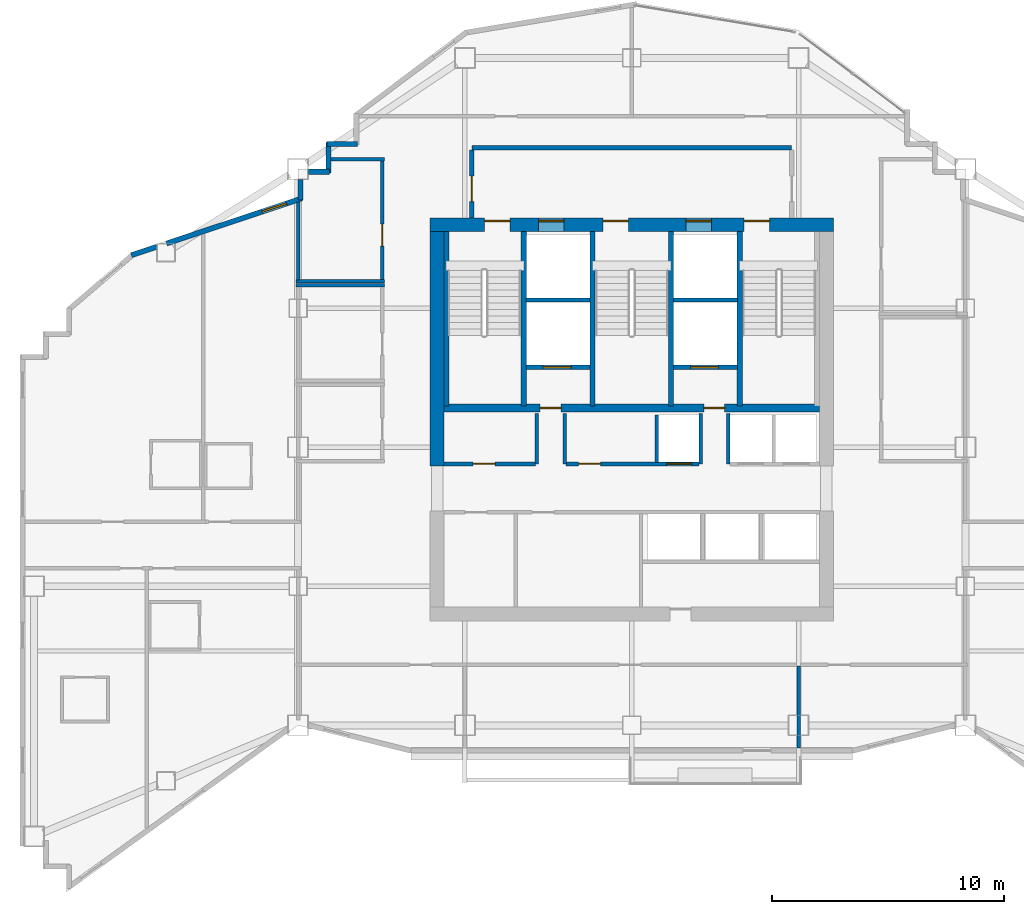
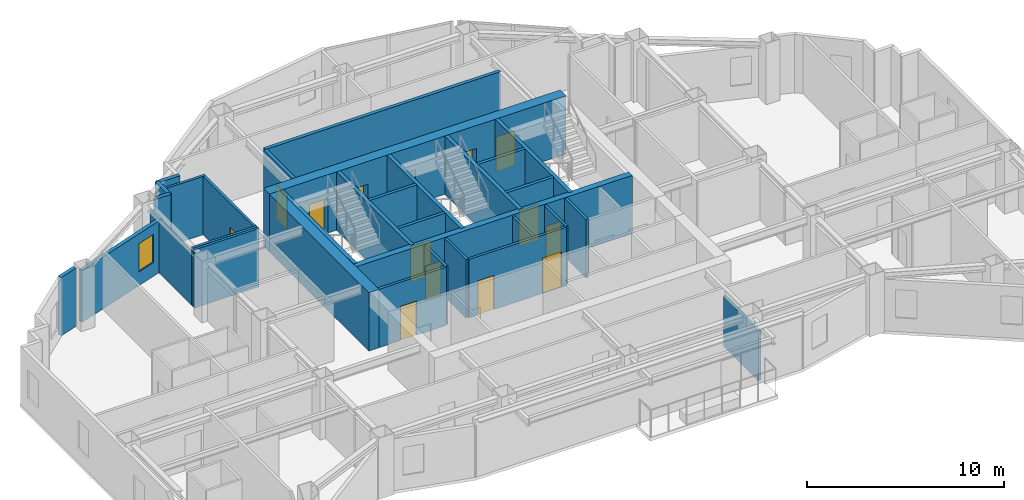
# One storey, part 6 of 10: 33 walls, 14 doors, 1 window, 15 openings.
"""IFC4 building model written with IfcOpenShell, lengths in metres."""

from ifc_helpers import new_model, si_unit, direction, frame, frame_2d, origin, place, context, subcontext, project, spatial, rectangle, extrude, material, layer, layer_set, type_object, element, fill, save


model = new_model("IFC4")

# Units and contexts
model_context = context("Model", 3, precision=1e-05, world=origin(), true_north=direction((0.0, 1.0)))
body_context = subcontext(model_context, "Body", "Model", "MODEL_VIEW")
ifc_project = project(units=[si_unit("LENGTHUNIT", "METRE"), si_unit("AREAUNIT", "SQUARE_METRE"), si_unit("VOLUMEUNIT", "CUBIC_METRE"), si_unit("PLANEANGLEUNIT", "RADIAN"), si_unit("MASSUNIT", "GRAM", prefix="KILO")], contexts=[model_context])

# Site, building, storey
site_placement = place(None, origin())
site = spatial("IfcSite", under=ifc_project, at=site_placement, CompositionType="ELEMENT")
building_placement = place(site_placement, origin())
building = spatial("IfcBuilding", under=site, at=building_placement, Name="Haolan Belvedere Tower", CompositionType="ELEMENT")
storey_placement = place(building_placement, frame((0.0, 0.0, 176.60009765625)))
storey = spatial("IfcBuildingStorey", under=building, at=storey_placement, Name="L44", CompositionType="ELEMENT", Elevation=176.60009765625)

# Wall, openings, doors
ifc_material_1 = material(Name="Concrete C60/75", Category="concrete")
ifc_layer_1 = layer(ifc_material_1, 0.60009765625, Name="Concrete C60/75")
ifc_layer_set_1 = layer_set([ifc_layer_1], Name="Concrete C60/75")
wall_type_1 = type_object("IfcWallType", Name="WL-CORE-600", PredefinedType="SHEAR", material=ifc_layer_set_1)
wall_1_placement = place(storey_placement, frame((29.699951171875, 43.199951171875, 0.0), z_axis=(0.0, 0.0, 1.0), x_axis=(1.0, 0.0, 0.0)))
wall_1 = element("IfcWall", 1, at=wall_1_placement, inside=storey, type_object=wall_type_1, Name="L44 central core north shear wall", PredefinedType="SHEAR", context=body_context, shape_type="SweptSolid", body=[
    extrude(rectangle(XDim=17.400146484375, YDim=0.60009765625, at=frame_2d((8.7001953125, 0.0))), origin(), (0.0, 0.0, 1.0), 3.619873046875),
])
opening_1_placement = place(wall_1_placement, frame((2.35009765625, 0.0, 0.0)))
opening_1 = element("IfcOpeningElement", 2, at=opening_1_placement, cuts=wall_1, Name="Opening FD-03", PredefinedType="OPENING", context=body_context, shape_type="SweptSolid", body=[
    extrude(rectangle(XDim=1.10009765625, YDim=2.14990234375, at=frame_2d((0.550048828125, 1.074951171875))), frame((0.0, 0.31005859375, 0.0), z_axis=(0.0, -1.0, 0.0), x_axis=(1.0, 0.0, 0.0)), (0.0, 0.0, 1.0), 0.6201171875),
])
opening_2_placement = place(wall_1_placement, frame((7.4599609375, 0.0, 0.0)))
opening_2 = element("IfcOpeningElement", 3, at=opening_2_placement, cuts=wall_1, Name="Opening FD-03", PredefinedType="OPENING", context=body_context, shape_type="SweptSolid", body=[
    extrude(rectangle(XDim=1.10009765625, YDim=2.14990234375, at=frame_2d((0.550048828125, 1.074951171875))), frame((0.0, 0.31005859375, 0.0), z_axis=(0.0, -1.0, 0.0), x_axis=(1.0, 0.0, 0.0)), (0.0, 0.0, 1.0), 0.6201171875),
])
opening_3_placement = place(wall_1_placement, frame((13.550048828125, 0.0, 0.0)))
opening_3 = element("IfcOpeningElement", 4, at=opening_3_placement, cuts=wall_1, Name="Opening FD-03", PredefinedType="OPENING", context=body_context, shape_type="SweptSolid", body=[
    extrude(rectangle(XDim=1.10009765625, YDim=2.14990234375, at=frame_2d((0.550048828125, 1.074951171875))), frame((0.0, 0.31005859375, 0.0), z_axis=(0.0, -1.0, 0.0), x_axis=(1.0, 0.0, 0.0)), (0.0, 0.0, 1.0), 0.6201171875),
])
opening_4_placement = place(wall_1_placement, frame((4.679931640625, 0.0, 0.0)))
opening_4 = element("IfcOpeningElement", 5, at=opening_4_placement, cuts=wall_1, Name="Opening LD-01", PredefinedType="OPENING", context=body_context, shape_type="SweptSolid", body=[
    extrude(rectangle(XDim=1.10009765625, YDim=2.199951171875, at=frame_2d((0.550048828125, 1.10009765625))), frame((0.0, 0.31005859375, 0.0), z_axis=(0.0, -1.0, 0.0), x_axis=(1.0, 0.0, 0.0)), (0.0, 0.0, 1.0), 0.6201171875),
])
opening_5_placement = place(wall_1_placement, frame((11.0400390625, 0.0, 0.0)))
opening_5 = element("IfcOpeningElement", 6, at=opening_5_placement, cuts=wall_1, Name="Opening LD-01", PredefinedType="OPENING", context=body_context, shape_type="SweptSolid", body=[
    extrude(rectangle(XDim=1.10009765625, YDim=2.199951171875, at=frame_2d((0.550048828125, 1.10009765625))), frame((0.0, 0.31005859375, 0.0), z_axis=(0.0, -1.0, 0.0), x_axis=(1.0, 0.0, 0.0)), (0.0, 0.0, 1.0), 0.6201171875),
])
ifc_material_2 = material(Name="Galvanised fire-rated steel", Category="steel")
door_type_1 = type_object("IfcDoorType", Name="DR-FD90-1100", OperationType="NOTDEFINED", PredefinedType="DOOR", material=ifc_material_2)
door_1_placement = place(opening_1_placement, origin())
door_1 = element("IfcDoor", 7, at=door_1_placement, inside=storey, type_object=door_type_1, Name="L44 door CD-L44-ST1", OperationType="SINGLE_SWING_LEFT", OverallHeight=2.14990234375, OverallWidth=1.10009765625, PredefinedType="DOOR", context=body_context, shape_type="SweptSolid", body=[
    extrude(rectangle(XDim=1.10009765625, YDim=2.14990234375, at=frame_2d((0.550048828125, 1.074951171875))), frame((0.0, 0.18505859375, 0.0), z_axis=(0.0, -1.0, 0.0), x_axis=(1.0, 0.0, 0.0)), (0.0, 0.0, 1.0), 0.050048828125),
])
fill(opening_1, door_1)
door_2_placement = place(opening_2_placement, origin())
door_2 = element("IfcDoor", 8, at=door_2_placement, inside=storey, type_object=door_type_1, Name="L44 door CD-L44-ST3", OperationType="SINGLE_SWING_LEFT", OverallHeight=2.14990234375, OverallWidth=1.10009765625, PredefinedType="DOOR", context=body_context, shape_type="SweptSolid", body=[
    extrude(rectangle(XDim=1.10009765625, YDim=2.14990234375, at=frame_2d((0.550048828125, 1.074951171875))), frame((0.0, 0.18505859375, 0.0), z_axis=(0.0, -1.0, 0.0), x_axis=(1.0, 0.0, 0.0)), (0.0, 0.0, 1.0), 0.050048828125),
])
fill(opening_2, door_2)
door_3_placement = place(opening_3_placement, origin())
door_3 = element("IfcDoor", 9, at=door_3_placement, inside=storey, type_object=door_type_1, Name="L44 door CD-L44-ST2", OperationType="SINGLE_SWING_RIGHT", OverallHeight=2.14990234375, OverallWidth=1.10009765625, PredefinedType="DOOR", context=body_context, shape_type="SweptSolid", body=[
    extrude(rectangle(XDim=1.10009765625, YDim=2.14990234375, at=frame_2d((0.550048828125, 1.074951171875))), frame((0.0, 0.18505859375, 0.0), z_axis=(0.0, -1.0, 0.0), x_axis=(1.0, 0.0, 0.0)), (0.0, 0.0, 1.0), 0.050048828125),
])
fill(opening_3, door_3)
ifc_material_3 = material(Name="Brushed champagne stainless steel 316L", Category="steel")
door_type_2 = type_object("IfcDoorType", Name="DR-LIFT-1100", OperationType="SLIDING_TO_LEFT", PredefinedType="DOOR", material=ifc_material_3)
door_4_placement = place(opening_4_placement, origin())
door_4 = element("IfcDoor", 10, at=door_4_placement, inside=storey, type_object=door_type_2, Name="L44 door LD-L44-FF1", OperationType="SLIDING_TO_LEFT", OverallHeight=2.199951171875, OverallWidth=1.10009765625, PredefinedType="DOOR", context=body_context, shape_type="SweptSolid", body=[
    extrude(rectangle(XDim=1.10009765625, YDim=2.199951171875, at=frame_2d((0.550048828125, 1.10009765625))), frame((0.0, 0.18505859375, 0.0), z_axis=(0.0, -1.0, 0.0), x_axis=(1.0, 0.0, 0.0)), (0.0, 0.0, 1.0), 0.050048828125),
])
fill(opening_4, door_4)
door_5_placement = place(opening_5_placement, origin())
door_5 = element("IfcDoor", 11, at=door_5_placement, inside=storey, type_object=door_type_2, Name="L44 door LD-L44-FF2", OperationType="SLIDING_TO_LEFT", OverallHeight=2.199951171875, OverallWidth=1.10009765625, PredefinedType="DOOR", context=body_context, shape_type="SweptSolid", body=[
    extrude(rectangle(XDim=1.10009765625, YDim=2.199951171875, at=frame_2d((0.550048828125, 1.10009765625))), frame((0.0, 0.18505859375, 0.0), z_axis=(0.0, -1.0, 0.0), x_axis=(1.0, 0.0, 0.0)), (0.0, 0.0, 1.0), 0.050048828125),
])
fill(opening_5, door_5)

# Walls
wall_2_placement = place(storey_placement, frame((30.0, 32.800048828125, 0.0), z_axis=(0.0, 0.0, 1.0), x_axis=(0.0, 1.0, 0.0)))
element("IfcWall", 12, at=wall_2_placement, inside=storey, type_object=wall_type_1, Name="L44 central core shear wall WN", PredefinedType="SHEAR", context=body_context, shape_type="SweptSolid", body=[
    extrude(rectangle(XDim=10.099853515625, YDim=0.60009765625, at=frame_2d((5.0498046875, 0.0))), origin(), (0.0, 0.0, 1.0), 3.619873046875),
])
ifc_material_4 = material(Name="Precast concrete C40/50", Category="concrete")
ifc_layer_2 = layer(ifc_material_4, 0.219970703125, Name="Precast concrete C40/50")
ifc_layer_set_2 = layer_set([ifc_layer_2], Name="Precast concrete C40/50")
wall_type_2 = type_object("IfcWallType", Name="WL-EXT-220", PredefinedType="SOLIDWALL", material=ifc_layer_set_2)
for number, where, z_axis, x_axis, name in (
    (13, (26.56494140625, 46.68994140625, 0.0), (0.0, 0.0, 1.0), (-1.0, 0.0, 0.0), "L44 pale-metal exterior spandrel wall 25.1"),
    (14, (25.31005859375, 46.7451171875, 0.0), (0.0, 0.0, 1.0), (0.0, -1.0, 0.0), "L44 pale-metal exterior spandrel wall 26.1"),
):
    element("IfcWall", number, at=place(storey_placement, frame(where, z_axis=z_axis, x_axis=x_axis)), inside=storey, type_object=wall_type_2, Name=name, PredefinedType="SOLIDWALL", context=body_context, shape_type="SweptSolid", body=[
        extrude(rectangle(XDim=1.31005859375, YDim=0.219970703125, at=frame_2d((0.655029296875, 0.0))), origin(), (0.0, 0.0, 1.0), 3.619873046875),
    ])
wall_3_placement = place(storey_placement, frame((25.364990234375, 45.489990234375, 0.0), z_axis=(0.0, 0.0, 1.0), x_axis=(-1.0, 0.0, 0.0)))
element("IfcWall", 15, at=wall_3_placement, inside=storey, type_object=wall_type_2, Name="L44 pale-metal exterior spandrel wall 27.1", PredefinedType="SOLIDWALL", context=body_context, shape_type="SweptSolid", body=[
    extrude(rectangle(XDim=0.923095703125, YDim=0.219970703125, at=frame_2d((0.46142578125, 0.0))), origin(), (0.0, 0.0, 1.0), 3.619873046875),
])
wall_4_placement = place(storey_placement, frame((24.110107421875, 45.157958984375, 0.0), z_axis=(0.0, 0.0, 1.0), x_axis=(0.0, -1.0, 0.0)))
element("IfcWall", 16, at=wall_4_placement, inside=storey, type_object=wall_type_2, Name="L44 pale-metal exterior spandrel wall 28.1", PredefinedType="SOLIDWALL", context=body_context, shape_type="SweptSolid", body=[
    extrude(rectangle(XDim=0.892333984375, YDim=0.219970703125, at=frame_2d((0.4462890625, 0.0))), origin(), (0.0, 0.0, 1.0), 3.21484375),
])

# Wall, opening, window
wall_5_placement = place(storey_placement, frame((24.162109375, 44.338134765625, 0.0), z_axis=(0.0, 0.0, 1.0), x_axis=(-0.948687265055, -0.316215864755, 0.0)))
wall_5 = element("IfcWall", 17, at=wall_5_placement, inside=storey, type_object=wall_type_2, Name="L44 pale-metal exterior spandrel wall 29.1", PredefinedType="SOLIDWALL", context=body_context, shape_type="SweptSolid", body=[
    extrude(rectangle(XDim=6.154052734375, YDim=0.219970703125, at=frame_2d((3.0771484375, 0.0))), origin(), (0.0, 0.0, 1.0), 3.21484375),
])
opening_6_placement = place(wall_5_placement, frame((0.699951171875, 0.0, 0.85009765625)))
opening_6 = element("IfcOpeningElement", 18, at=opening_6_placement, cuts=wall_5, Name="Opening W-03", PredefinedType="OPENING", context=body_context, shape_type="SweptSolid", body=[
    extrude(rectangle(XDim=1.10009765625, YDim=1.75, at=frame_2d((0.550048828125, 0.875))), frame((0.0, 0.119873046875, 0.0), z_axis=(0.0, -1.0, 0.0), x_axis=(1.0, 0.0, 0.0)), (0.0, 0.0, 1.0), 0.239990234375),
])
ifc_material_5 = material(Name="Anodised aluminium 6063-T6 and Low-E glass", Category="aluminium")
window_type = type_object("IfcWindowType", Name="WN-DECO-Z3", PartitioningType="SINGLE_PANEL", PredefinedType="WINDOW", material=ifc_material_5)
window_placement = place(opening_6_placement, origin())
window = element("IfcWindow", 19, at=window_placement, inside=storey, type_object=window_type, Name="L44 Art Deco chevron window 1", OverallHeight=1.75, OverallWidth=1.10009765625, PartitioningType="SINGLE_PANEL", PredefinedType="WINDOW", context=body_context, shape_type="SweptSolid", body=[
    extrude(rectangle(XDim=1.10009765625, YDim=1.75, at=frame_2d((0.550048828125, 0.875))), frame((0.0, 0.030029296875, 0.0), z_axis=(0.0, -1.0, 0.0), x_axis=(1.0, 0.0, 0.0)), (0.0, 0.0, 1.0), 0.06005859375),
])
fill(opening_6, window)

# Walls
wall_6_placement = place(storey_placement, frame((17.907958984375, 42.25341796875, 0.0), z_axis=(0.0, 0.0, 1.0), x_axis=(-0.948662335685, -0.316290646166, 0.0)))
element("IfcWall", 20, at=wall_6_placement, inside=storey, type_object=wall_type_2, Name="L44 pale-metal exterior spandrel wall 29.2", PredefinedType="SOLIDWALL", context=body_context, shape_type="SweptSolid", body=[
    extrude(rectangle(XDim=1.164794921875, YDim=0.219970703125, at=frame_2d((0.58251953125, 0.0))), origin(), (0.0, 0.0, 1.0), 3.619873046875),
])
ifc_material_6 = material(Name="Concrete C40/50", Category="concrete")
ifc_layer_3 = layer(ifc_material_6, 0.199951171875, Name="Concrete C40/50")
ifc_layer_set_3 = layer_set([ifc_layer_3], Name="Concrete C40/50")
wall_type_3 = type_object("IfcWallType", Name="WL-FIRE-200", PredefinedType="SOLIDWALL", material=ifc_layer_set_3)
wall_7_placement = place(storey_placement, frame((31.5, 46.52001953125, 0.0), z_axis=(0.0, 0.0, 1.0), x_axis=(1.0, 0.0, 0.0)))
element("IfcWall", 21, at=wall_7_placement, inside=storey, type_object=wall_type_3, Name="L44 interior partition IW-L44-FFL-N", PredefinedType="SOLIDWALL", context=body_context, shape_type="SweptSolid", body=[
    extrude(rectangle(XDim=13.800048828125, YDim=0.199951171875, at=frame_2d((6.89990234375, 0.0))), origin(), (0.0, 0.0, 1.0), 3.619873046875),
])

# Wall, opening, door
wall_8_placement = place(storey_placement, frame((31.5, 43.5, 0.0), z_axis=(0.0, 0.0, 1.0), x_axis=(0.0, 1.0, 0.0)))
wall_8 = element("IfcWall", 22, at=wall_8_placement, inside=storey, type_object=wall_type_3, Name="L44 interior partition IW-L44-FFL-W", PredefinedType="SOLIDWALL", context=body_context, shape_type="SweptSolid", body=[
    extrude(rectangle(XDim=2.93505859375, YDim=0.199951171875, at=frame_2d((1.467529296875, 0.0))), origin(), (0.0, 0.0, 1.0), 3.619873046875),
])
opening_7_placement = place(wall_8_placement, frame((1.800048828125, 0.0, 0.0), z_axis=(0.0, 0.0, 1.0), x_axis=(-1.0, 0.0, 0.0)))
opening_7 = element("IfcOpeningElement", 23, at=opening_7_placement, cuts=wall_8, Name="Opening FD-03", PredefinedType="OPENING", context=body_context, shape_type="SweptSolid", body=[
    extrude(rectangle(XDim=1.10009765625, YDim=2.14990234375, at=frame_2d((0.550048828125, 1.074951171875))), frame((0.0, 0.10986328125, 0.0), z_axis=(0.0, -1.0, 0.0), x_axis=(1.0, 0.0, 0.0)), (0.0, 0.0, 1.0), 0.219970703125),
])
door_6_placement = place(opening_7_placement, origin())
door_6 = element("IfcDoor", 24, at=door_6_placement, inside=storey, type_object=door_type_1, Name="L44 door ID-L44-FFL-DW", OperationType="SINGLE_SWING_LEFT", OverallHeight=2.14990234375, OverallWidth=1.10009765625, PredefinedType="DOOR", context=body_context, shape_type="SweptSolid", body=[
    extrude(rectangle(XDim=1.10009765625, YDim=2.14990234375, at=frame_2d((0.550048828125, 1.074951171875))), frame((0.0, 0.02490234375, 0.0), z_axis=(0.0, -1.0, 0.0), x_axis=(1.0, 0.0, 0.0)), (0.0, 0.0, 1.0), 0.050048828125),
])
fill(opening_7, door_6)

# Walls
ifc_material_7 = material(Name="Double gypsum acoustic stud partition", Category="masonry")
ifc_layer_4 = layer(ifc_material_7, 0.14990234375, Name="Double gypsum acoustic stud partition")
ifc_layer_set_4 = layer_set([ifc_layer_4], Name="Double gypsum acoustic stud partition")
wall_type_4 = type_object("IfcWallType", Name="WL-PART-150", PredefinedType="PARTITIONING", material=ifc_layer_set_4)
wall_9_placement = place(storey_placement, frame((23.919921875, 40.60009765625, 0.0), z_axis=(0.0, 0.0, 1.0), x_axis=(1.0, 0.0, 0.0)))
element("IfcWall", 25, at=wall_9_placement, inside=storey, type_object=wall_type_4, Name="L44 interior partition IW-L44-PNT-N", PredefinedType="PARTITIONING", context=body_context, shape_type="SweptSolid", body=[
    extrude(rectangle(XDim=3.800048828125, YDim=0.14990234375, at=frame_2d((1.89990234375, 0.0))), origin(), (0.0, 0.0, 1.0), 3.619873046875),
])
wall_10_placement = place(storey_placement, frame((25.412109375, 46.02001953125, 0.0), z_axis=(0.0, 0.0, 1.0), x_axis=(1.0, 0.0, 0.0)))
element("IfcWall", 26, at=wall_10_placement, inside=storey, type_object=wall_type_4, Name="L44 interior partition IW-L44-STY-N", PredefinedType="PARTITIONING", context=body_context, shape_type="SweptSolid", body=[
    extrude(rectangle(XDim=2.307861328125, YDim=0.14990234375, at=frame_2d((1.15380859375, 0.0))), origin(), (0.0, 0.0, 1.0), 3.619873046875),
])
wall_11_placement = place(storey_placement, frame((23.919921875, 40.760009765625, 0.0), z_axis=(0.0, 0.0, 1.0), x_axis=(1.0, 0.0, 0.0)))
element("IfcWall", 27, at=wall_11_placement, inside=storey, type_object=wall_type_4, Name="L44 interior partition IW-L44-STY-S", PredefinedType="PARTITIONING", context=body_context, shape_type="SweptSolid", body=[
    extrude(rectangle(XDim=3.800048828125, YDim=0.14990234375, at=frame_2d((1.89990234375, 0.0))), origin(), (0.0, 0.0, 1.0), 3.619873046875),
])
wall_12_placement = place(storey_placement, frame((24.0, 40.820068359375, 0.0), z_axis=(0.0, 0.0, 1.0), x_axis=(0.0, 1.0, 0.0)))
element("IfcWall", 28, at=wall_12_placement, inside=storey, type_object=wall_type_4, Name="L44 interior partition IW-L44-STY-W", PredefinedType="PARTITIONING", context=body_context, shape_type="SweptSolid", body=[
    extrude(rectangle(XDim=3.3564453125, YDim=0.14990234375, at=frame_2d((1.67822265625, 0.0))), origin(), (0.0, 0.0, 1.0), 3.21484375),
])

# Wall, opening, door
wall_13_placement = place(storey_placement, frame((27.639892578125, 40.820068359375, 0.0), z_axis=(0.0, 0.0, 1.0), x_axis=(0.0, 1.0, 0.0)))
wall_13 = element("IfcWall", 29, at=wall_13_placement, inside=storey, type_object=wall_type_4, Name="L44 interior partition IW-L44-STY-E", PredefinedType="PARTITIONING", context=body_context, shape_type="SweptSolid", body=[
    extrude(rectangle(XDim=5.139892578125, YDim=0.14990234375, at=frame_2d((2.56982421875, 0.0))), origin(), (0.0, 0.0, 1.0), 3.619873046875),
])
opening_8_placement = place(wall_13_placement, frame((2.409912109375, 0.0, 0.0), z_axis=(0.0, 0.0, 1.0), x_axis=(-1.0, 0.0, 0.0)))
opening_8 = element("IfcOpeningElement", 30, at=opening_8_placement, cuts=wall_13, Name="Opening ID-03", PredefinedType="OPENING", context=body_context, shape_type="SweptSolid", body=[
    extrude(rectangle(XDim=0.949951171875, YDim=2.1201171875, at=frame_2d((0.47509765625, 1.06005859375))), frame((0.0, 0.0849609375, 0.0), z_axis=(0.0, -1.0, 0.0), x_axis=(1.0, 0.0, 0.0)), (0.0, 0.0, 1.0), 0.169921875),
])
ifc_material_8 = material(Name="Painted solid-core timber", Category="wood")
door_type_3 = type_object("IfcDoorType", Name="DR-INT-950", OperationType="NOTDEFINED", PredefinedType="DOOR", material=ifc_material_8)
door_7_placement = place(opening_8_placement, origin())
door_7 = element("IfcDoor", 31, at=door_7_placement, inside=storey, type_object=door_type_3, Name="L44 door ID-L44-STY", OperationType="SINGLE_SWING_LEFT", OverallHeight=2.1201171875, OverallWidth=0.949951171875, PredefinedType="DOOR", context=body_context, shape_type="SweptSolid", body=[
    extrude(rectangle(XDim=0.949951171875, YDim=2.1201171875, at=frame_2d((0.47509765625, 1.06005859375))), frame((0.0, 0.02490234375, 0.0), z_axis=(0.0, -1.0, 0.0), x_axis=(1.0, 0.0, 0.0)), (0.0, 0.0, 1.0), 0.050048828125),
])
fill(opening_8, door_7)

# Walls
wall_14_placement = place(storey_placement, frame((45.60009765625, 20.612060546875, 0.0), z_axis=(0.0, 0.0, 1.0), x_axis=(0.0, 1.0, 0.0)))
element("IfcWall", 32, at=wall_14_placement, inside=storey, type_object=wall_type_4, Name="L44 interior partition IW-L44-KS2-E", PredefinedType="PARTITIONING", context=body_context, shape_type="SweptSolid", body=[
    extrude(rectangle(XDim=3.5478515625, YDim=0.14990234375, at=frame_2d((1.77392578125, 0.0))), origin(), (0.0, 0.0, 1.0), 3.10498046875),
])
ifc_material_9 = material(Name="Gypsum fire shaftwall assembly", Category="masonry")
ifc_layer_5 = layer(ifc_material_9, 0.1650390625, Name="Gypsum fire shaftwall assembly")
ifc_layer_set_5 = layer_set([ifc_layer_5], Name="Gypsum fire shaftwall assembly")
wall_type_5 = type_object("IfcWallType", Name="WL-SHAFT-160", PredefinedType="SOLIDWALL", material=ifc_layer_set_5)
for number, where, z_axis, x_axis, name in (
    (33, (34.31005859375, 32.8798828125, 0.0), (0.0, 0.0, 1.0), (0.0, 1.0, 0.0), "L44 interior partition IW-L44-SVP-W-SV1"),
    (34, (35.510009765625, 32.8798828125, 0.0), (0.0, 0.0, 1.0), (0.0, 1.0, 0.0), "L44 interior partition IW-L44-SVP-E-SV1"),
    (35, (41.3701171875, 32.8798828125, 0.0), (0.0, 0.0, 1.0), (0.0, 1.0, 0.0), "L44 interior partition IW-L44-SVP-W-SV2"),
    (36, (42.570068359375, 32.8798828125, 0.0), (0.0, 0.0, 1.0), (0.0, 1.0, 0.0), "L44 interior partition IW-L44-SVP-E-SV2"),
):
    element("IfcWall", number, at=place(storey_placement, frame(where, z_axis=z_axis, x_axis=x_axis)), inside=storey, type_object=wall_type_5, Name=name, PredefinedType="SOLIDWALL", context=body_context, shape_type="SweptSolid", body=[
        extrude(rectangle(XDim=2.170166015625, YDim=0.14990234375, at=frame_2d((1.0849609375, 0.0))), origin(), (0.0, 0.0, 1.0), 3.619873046875),
    ])

# Wall, opening, door
wall_15_placement = place(storey_placement, frame((30.300048828125, 32.8798828125, 0.0), z_axis=(0.0, 0.0, 1.0), x_axis=(1.0, 0.0, 0.0)))
wall_15 = element("IfcWall", 37, at=wall_15_placement, inside=storey, type_object=wall_type_5, Name="L44 interior partition IW-L44-ROW-PN1", PredefinedType="SOLIDWALL", context=body_context, shape_type="SweptSolid", body=[
    extrude(rectangle(XDim=3.949951171875, YDim=0.159912109375, at=frame_2d((1.97509765625, 0.0))), origin(), (0.0, 0.0, 1.0), 3.619873046875),
])
opening_9_placement = place(wall_15_placement, frame((2.199951171875, 0.0, 0.0), z_axis=(0.0, 0.0, 1.0), x_axis=(-1.0, 0.0, 0.0)))
opening_9 = element("IfcOpeningElement", 38, at=opening_9_placement, cuts=wall_15, Name="Opening ID-03", PredefinedType="OPENING", context=body_context, shape_type="SweptSolid", body=[
    extrude(rectangle(XDim=0.949951171875, YDim=2.1201171875, at=frame_2d((0.47509765625, 1.06005859375))), frame((0.0, 0.08984375, 0.0), z_axis=(0.0, -1.0, 0.0), x_axis=(1.0, 0.0, 0.0)), (0.0, 0.0, 1.0), 0.179931640625),
])
door_8_placement = place(opening_9_placement, origin())
door_8 = element("IfcDoor", 39, at=door_8_placement, inside=storey, type_object=door_type_3, Name="L44 door ID-L44-CD-RPLW", OperationType="SINGLE_SWING_LEFT", OverallHeight=2.1201171875, OverallWidth=0.949951171875, PredefinedType="DOOR", context=body_context, shape_type="SweptSolid", body=[
    extrude(rectangle(XDim=0.949951171875, YDim=2.1201171875, at=frame_2d((0.47509765625, 1.06005859375))), frame((0.0, 0.02490234375, 0.0), z_axis=(0.0, -1.0, 0.0), x_axis=(1.0, 0.0, 0.0)), (0.0, 0.0, 1.0), 0.050048828125),
])
fill(opening_9, door_8)

# Wall, openings, doors
wall_16_placement = place(storey_placement, frame((35.570068359375, 32.8798828125, 0.0), z_axis=(0.0, 0.0, 1.0), x_axis=(1.0, 0.0, 0.0)))
wall_16 = element("IfcWall", 40, at=wall_16_placement, inside=storey, type_object=wall_type_5, Name="L44 interior partition IW-L44-ROW-PN2", PredefinedType="SOLIDWALL", context=body_context, shape_type="SweptSolid", body=[
    extrude(rectangle(XDim=5.739990234375, YDim=0.159912109375, at=frame_2d((2.8701171875, 0.0))), origin(), (0.0, 0.0, 1.0), 3.619873046875),
])
opening_10_placement = place(wall_16_placement, frame((1.489990234375, 0.0, 0.0), z_axis=(0.0, 0.0, 1.0), x_axis=(-1.0, 0.0, 0.0)))
opening_10 = element("IfcOpeningElement", 41, at=opening_10_placement, cuts=wall_16, Name="Opening ID-03", PredefinedType="OPENING", context=body_context, shape_type="SweptSolid", body=[
    extrude(rectangle(XDim=0.949951171875, YDim=2.1201171875, at=frame_2d((0.47509765625, 1.06005859375))), frame((0.0, 0.08984375, 0.0), z_axis=(0.0, -1.0, 0.0), x_axis=(1.0, 0.0, 0.0)), (0.0, 0.0, 1.0), 0.179931640625),
])
opening_11_placement = place(wall_16_placement, frame((5.43017578125, 0.0, 0.0), z_axis=(0.0, 0.0, 1.0), x_axis=(-1.0, 0.0, 0.0)))
opening_11 = element("IfcOpeningElement", 42, at=opening_11_placement, cuts=wall_16, Name="Opening LD-01", PredefinedType="OPENING", context=body_context, shape_type="SweptSolid", body=[
    extrude(rectangle(XDim=1.10009765625, YDim=2.199951171875, at=frame_2d((0.550048828125, 1.10009765625))), frame((0.0, 0.08984375, 0.0), z_axis=(0.0, -1.0, 0.0), x_axis=(1.0, 0.0, 0.0)), (0.0, 0.0, 1.0), 0.179931640625),
])
door_9_placement = place(opening_10_placement, origin())
door_9 = element("IfcDoor", 43, at=door_9_placement, inside=storey, type_object=door_type_3, Name="L44 door ID-L44-CD-RPLE", OperationType="SINGLE_SWING_RIGHT", OverallHeight=2.1201171875, OverallWidth=0.949951171875, PredefinedType="DOOR", context=body_context, shape_type="SweptSolid", body=[
    extrude(rectangle(XDim=0.949951171875, YDim=2.1201171875, at=frame_2d((0.47509765625, 1.06005859375))), frame((0.0, 0.02490234375, 0.0), z_axis=(0.0, -1.0, 0.0), x_axis=(1.0, 0.0, 0.0)), (0.0, 0.0, 1.0), 0.050048828125),
])
fill(opening_10, door_9)
door_10_placement = place(opening_11_placement, origin())
door_10 = element("IfcDoor", 44, at=door_10_placement, inside=storey, type_object=door_type_2, Name="L44 door ID-L44-LD-PH1", OperationType="SLIDING_TO_RIGHT", OverallHeight=2.199951171875, OverallWidth=1.10009765625, PredefinedType="DOOR", context=body_context, shape_type="SweptSolid", body=[
    extrude(rectangle(XDim=1.10009765625, YDim=2.199951171875, at=frame_2d((0.550048828125, 1.10009765625))), frame((0.0, 0.02490234375, 0.0), z_axis=(0.0, -1.0, 0.0), x_axis=(1.0, 0.0, 0.0)), (0.0, 0.0, 1.0), 0.050048828125),
])
fill(opening_11, door_10)

# Walls
wall_17_placement = place(storey_placement, frame((39.469970703125, 32.949951171875, 0.0), z_axis=(0.0, 0.0, 1.0), x_axis=(0.0, 1.0, 0.0)))
element("IfcWall", 45, at=wall_17_placement, inside=storey, type_object=wall_type_5, Name="L44 interior partition IW-L44-DIV-PL4R", PredefinedType="SOLIDWALL", context=body_context, shape_type="SweptSolid", body=[
    extrude(rectangle(XDim=2.050048828125, YDim=0.14990234375, at=frame_2d((1.02490234375, 0.0))), origin(), (0.0, 0.0, 1.0), 3.619873046875),
])
ifc_layer_6 = layer(ifc_material_4, 0.179931640625, Name="Precast concrete C40/50")
ifc_layer_set_6 = layer_set([ifc_layer_6], Name="Precast concrete C40/50")
wall_type_6 = type_object("IfcWallType", Name="WL-SHAFT-180", PredefinedType="SOLIDWALL", material=ifc_layer_set_6)
for number, where, z_axis, x_axis, name in (
    (46, (33.8349609375, 39.949951171875, 0.0), (0.0, 0.0, 1.0), (1.0, 0.0, 0.0), "L44 interior partition IW-L44-FF1-S"),
    (47, (40.195068359375, 39.949951171875, 0.0), (0.0, 0.0, 1.0), (1.0, 0.0, 0.0), "L44 interior partition IW-L44-FF2-S"),
):
    element("IfcWall", number, at=place(storey_placement, frame(where, z_axis=z_axis, x_axis=x_axis)), inside=storey, type_object=wall_type_6, Name=name, PredefinedType="SOLIDWALL", context=body_context, shape_type="SweptSolid", body=[
        extrude(rectangle(XDim=2.77001953125, YDim=0.179931640625, at=frame_2d((1.385009765625, 0.0))), origin(), (0.0, 0.0, 1.0), 3.619873046875),
    ])

# Wall, opening, door
wall_18_placement = place(storey_placement, frame((33.8349609375, 37.050048828125, 0.0), z_axis=(0.0, 0.0, 1.0), x_axis=(1.0, 0.0, 0.0)))
wall_18 = element("IfcWall", 48, at=wall_18_placement, inside=storey, type_object=wall_type_6, Name="L44 interior partition IW-L44-SV1-S", PredefinedType="SOLIDWALL", context=body_context, shape_type="SweptSolid", body=[
    extrude(rectangle(XDim=2.77001953125, YDim=0.179931640625, at=frame_2d((1.385009765625, 0.0))), origin(), (0.0, 0.0, 1.0), 3.619873046875),
])
opening_12_placement = place(wall_18_placement, frame((1.945068359375, 0.0, 0.0), z_axis=(0.0, 0.0, 1.0), x_axis=(-1.0, 0.0, 0.0)))
opening_12 = element("IfcOpeningElement", 49, at=opening_12_placement, cuts=wall_18, Name="Opening LD-02", PredefinedType="OPENING", context=body_context, shape_type="SweptSolid", body=[
    extrude(rectangle(XDim=1.199951171875, YDim=2.199951171875, at=frame_2d((0.60009765625, 1.10009765625))), frame((0.0, 0.099853515625, 0.0), z_axis=(0.0, -1.0, 0.0), x_axis=(1.0, 0.0, 0.0)), (0.0, 0.0, 1.0), 0.199951171875),
])
door_type_4 = type_object("IfcDoorType", Name="DR-LIFT-1200", OperationType="SLIDING_TO_RIGHT", PredefinedType="DOOR", material=ifc_material_3)
door_11_placement = place(opening_12_placement, origin())
door_11 = element("IfcDoor", 50, at=door_11_placement, inside=storey, type_object=door_type_4, Name="L44 door ID-L44-LD-SV1", OperationType="SLIDING_TO_RIGHT", OverallHeight=2.199951171875, OverallWidth=1.199951171875, PredefinedType="DOOR", context=body_context, shape_type="SweptSolid", body=[
    extrude(rectangle(XDim=1.199951171875, YDim=2.199951171875, at=frame_2d((0.60009765625, 1.10009765625))), frame((0.0, 0.02490234375, 0.0), z_axis=(0.0, -1.0, 0.0), x_axis=(1.0, 0.0, 0.0)), (0.0, 0.0, 1.0), 0.050048828125),
])
fill(opening_12, door_11)

wall_19_placement = place(storey_placement, frame((40.195068359375, 37.050048828125, 0.0), z_axis=(0.0, 0.0, 1.0), x_axis=(1.0, 0.0, 0.0)))
wall_19 = element("IfcWall", 51, at=wall_19_placement, inside=storey, type_object=wall_type_6, Name="L44 interior partition IW-L44-SV2-S", PredefinedType="SOLIDWALL", context=body_context, shape_type="SweptSolid", body=[
    extrude(rectangle(XDim=2.77001953125, YDim=0.179931640625, at=frame_2d((1.385009765625, 0.0))), origin(), (0.0, 0.0, 1.0), 3.619873046875),
])
opening_13_placement = place(wall_19_placement, frame((1.945068359375, 0.0, 0.0), z_axis=(0.0, 0.0, 1.0), x_axis=(-1.0, 0.0, 0.0)))
opening_13 = element("IfcOpeningElement", 52, at=opening_13_placement, cuts=wall_19, Name="Opening LD-02", PredefinedType="OPENING", context=body_context, shape_type="SweptSolid", body=[
    extrude(rectangle(XDim=1.199951171875, YDim=2.199951171875, at=frame_2d((0.60009765625, 1.10009765625))), frame((0.0, 0.099853515625, 0.0), z_axis=(0.0, -1.0, 0.0), x_axis=(1.0, 0.0, 0.0)), (0.0, 0.0, 1.0), 0.199951171875),
])
door_12_placement = place(opening_13_placement, origin())
door_12 = element("IfcDoor", 53, at=door_12_placement, inside=storey, type_object=door_type_4, Name="L44 door ID-L44-LD-SV2", OperationType="SLIDING_TO_RIGHT", OverallHeight=2.199951171875, OverallWidth=1.199951171875, PredefinedType="DOOR", context=body_context, shape_type="SweptSolid", body=[
    extrude(rectangle(XDim=1.199951171875, YDim=2.199951171875, at=frame_2d((0.60009765625, 1.10009765625))), frame((0.0, 0.02490234375, 0.0), z_axis=(0.0, -1.0, 0.0), x_axis=(1.0, 0.0, 0.0)), (0.0, 0.0, 1.0), 0.050048828125),
])
fill(opening_13, door_12)

# Walls
ifc_material_10 = material(Name="Concrete C50/60", Category="concrete")
ifc_layer_7 = layer(ifc_material_10, 0.219970703125, Name="Concrete C50/60")
ifc_layer_set_7 = layer_set([ifc_layer_7], Name="Concrete C50/60")
wall_type_7 = type_object("IfcWallType", Name="WL-STAIR-220", PredefinedType="SHEAR", material=ifc_layer_set_7)
for number, where, z_axis, x_axis, name in (
    (54, (30.412109375, 35.389892578125, 0.0), (0.0, 0.0, 1.0), (0.0, 1.0, 0.0), "L44 structural stair core wall ST1W"),
    (55, (33.739990234375, 35.389892578125, 0.0), (0.0, 0.0, 1.0), (0.0, 1.0, 0.0), "L44 structural stair core wall ST1E"),
    (56, (36.699951171875, 35.389892578125, 0.0), (0.0, 0.0, 1.0), (0.0, 1.0, 0.0), "L44 structural stair core wall ST3W"),
    (57, (40.10009765625, 35.389892578125, 0.0), (0.0, 0.0, 1.0), (0.0, 1.0, 0.0), "L44 structural stair core wall ST3E"),
    (58, (43.06005859375, 35.389892578125, 0.0), (0.0, 0.0, 1.0), (0.0, 1.0, 0.0), "L44 structural stair core wall ST2W"),
):
    element("IfcWall", number, at=place(storey_placement, frame(where, z_axis=z_axis, x_axis=x_axis)), inside=storey, type_object=wall_type_7, Name=name, PredefinedType="SHEAR", context=body_context, shape_type="SweptSolid", body=[
        extrude(rectangle(XDim=7.510009765625, YDim=0.219970703125, at=frame_2d((3.7548828125, 0.0))), origin(), (0.0, 0.0, 1.0), 3.619873046875),
    ])

# Wall, openings, doors
ifc_layer_8 = layer(ifc_material_1, 0.360107421875, Name="Concrete C60/75")
ifc_layer_set_8 = layer_set([ifc_layer_8], Name="Concrete C60/75")
wall_type_8 = type_object("IfcWallType", Name="WL-WEB-350", PredefinedType="SHEAR", material=ifc_layer_set_8)
wall_20_placement = place(storey_placement, frame((30.300048828125, 35.2900390625, 0.0), z_axis=(0.0, 0.0, 1.0), x_axis=(1.0, 0.0, 0.0)))
wall_20 = element("IfcWall", 59, at=wall_20_placement, inside=storey, type_object=wall_type_8, Name="L44 central core internal shear web", PredefinedType="SHEAR", context=body_context, shape_type="SweptSolid", body=[
    extrude(rectangle(XDim=16.199951171875, YDim=0.360107421875, at=frame_2d((8.10009765625, 0.0))), origin(), (0.0, 0.0, 1.0), 3.619873046875),
])
opening_14_placement = place(wall_20_placement, frame((5.0498046875, 0.0, 0.0), z_axis=(0.0, 0.0, 1.0), x_axis=(-1.0, 0.0, 0.0)))
opening_14 = element("IfcOpeningElement", 60, at=opening_14_placement, cuts=wall_20, Name="Opening FD-05", PredefinedType="OPENING", context=body_context, shape_type="SweptSolid", body=[
    extrude(rectangle(XDim=0.89990234375, YDim=2.10009765625, at=frame_2d((0.449951171875, 1.050048828125))), frame((0.0, 0.18994140625, 0.0), z_axis=(0.0, -1.0, 0.0), x_axis=(1.0, 0.0, 0.0)), (0.0, 0.0, 1.0), 0.380126953125),
])
opening_15_placement = place(wall_20_placement, frame((12.10986328125, 0.0, 0.0), z_axis=(0.0, 0.0, 1.0), x_axis=(-1.0, 0.0, 0.0)))
opening_15 = element("IfcOpeningElement", 61, at=opening_15_placement, cuts=wall_20, Name="Opening FD-05", PredefinedType="OPENING", context=body_context, shape_type="SweptSolid", body=[
    extrude(rectangle(XDim=0.89990234375, YDim=2.10009765625, at=frame_2d((0.449951171875, 1.050048828125))), frame((0.0, 0.18994140625, 0.0), z_axis=(0.0, -1.0, 0.0), x_axis=(1.0, 0.0, 0.0)), (0.0, 0.0, 1.0), 0.380126953125),
])
door_type_5 = type_object("IfcDoorType", Name="DR-FD60-900", OperationType="NOTDEFINED", PredefinedType="DOOR", material=ifc_material_2)
door_13_placement = place(opening_14_placement, origin())
door_13 = element("IfcDoor", 62, at=door_13_placement, inside=storey, type_object=door_type_5, Name="L44 door CD-L44-SVL-SV1", OperationType="SINGLE_SWING_RIGHT", OverallHeight=2.10009765625, OverallWidth=0.89990234375, PredefinedType="DOOR", context=body_context, shape_type="SweptSolid", body=[
    extrude(rectangle(XDim=0.89990234375, YDim=2.10009765625, at=frame_2d((0.449951171875, 1.050048828125))), frame((0.0, 0.02490234375, 0.0), z_axis=(0.0, -1.0, 0.0), x_axis=(1.0, 0.0, 0.0)), (0.0, 0.0, 1.0), 0.050048828125),
])
fill(opening_14, door_13)
door_14_placement = place(opening_15_placement, origin())
door_14 = element("IfcDoor", 63, at=door_14_placement, inside=storey, type_object=door_type_5, Name="L44 door CD-L44-SVL-SV2", OperationType="SINGLE_SWING_RIGHT", OverallHeight=2.10009765625, OverallWidth=0.89990234375, PredefinedType="DOOR", context=body_context, shape_type="SweptSolid", body=[
    extrude(rectangle(XDim=0.89990234375, YDim=2.10009765625, at=frame_2d((0.449951171875, 1.050048828125))), frame((0.0, 0.02490234375, 0.0), z_axis=(0.0, -1.0, 0.0), x_axis=(1.0, 0.0, 0.0)), (0.0, 0.0, 1.0), 0.050048828125),
])
fill(opening_15, door_14)

save(model, "model.ifc")
